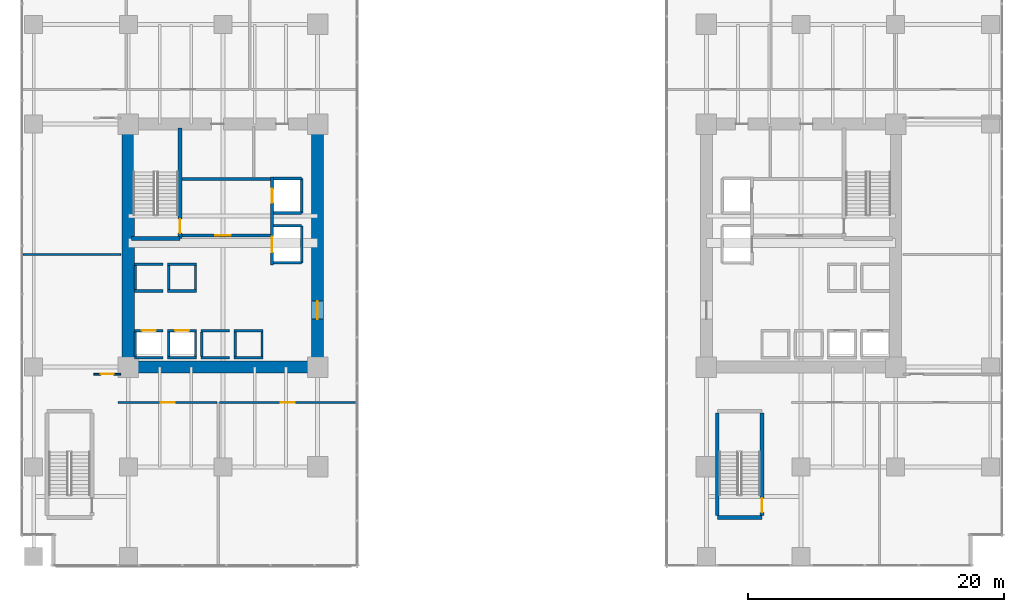
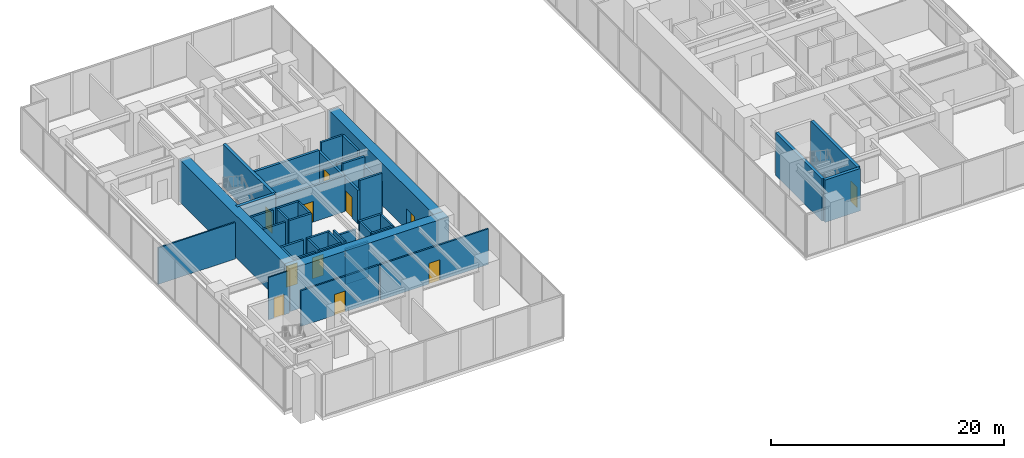
# One storey, part 25 of 32: 42 walls, 11 doors, 11 openings.
"""IFC4 building model written with IfcOpenShell, lengths in metres."""

from ifc_helpers import new_model, si_unit, direction, frame, frame_2d, origin, place, context, subcontext, project, spatial, rectangle, extrude, source, transform, mapped, material, layer, layer_set, type_object, type_shapes, element, fill, save


model = new_model("IFC4")

# Units and contexts
model_context = context("Model", 3, precision=1e-05, world=origin(), true_north=direction((0.0, 1.0)))
body_context = subcontext(model_context, "Body", "Model", "MODEL_VIEW")
ifc_project = project(units=[si_unit("LENGTHUNIT", "METRE"), si_unit("AREAUNIT", "SQUARE_METRE"), si_unit("VOLUMEUNIT", "CUBIC_METRE"), si_unit("PLANEANGLEUNIT", "RADIAN"), si_unit("MASSUNIT", "GRAM", prefix="KILO")], contexts=[model_context])

# Site, building, storey
site_placement = place(None, origin())
site = spatial("IfcSite", under=ifc_project, at=site_placement, CompositionType="ELEMENT")
building_placement = place(site_placement, origin())
building = spatial("IfcBuilding", under=site, at=building_placement, Name="Haelvirn Gate Laboratories", CompositionType="ELEMENT")
storey_placement = place(building_placement, frame((0.0, 0.0, 5.39990234375)))
storey = spatial("IfcBuildingStorey", under=building, at=storey_placement, Name="L02", CompositionType="ELEMENT", Elevation=5.39990234375)

# Wall
ifc_material_1 = material(Name="Acoustic mineral-wool gypsum board partition", Category="gypsum")
ifc_layer_1 = layer(ifc_material_1, 0.139892578125, Name="IW-PART-140")
ifc_layer_set_1 = layer_set([ifc_layer_1], Name="Acoustic mineral-wool gypsum board partition")
wall_type_1 = type_object("IfcWallType", Name="IW-PART-140", PredefinedType="PARTITIONING", material=ifc_layer_set_1)
wall_1_placement = place(storey_placement, frame((-0.85009765625, 23.60009765625, 0.0), z_axis=(0.0, 0.0, 1.0), x_axis=(1.0, 0.0, 0.0)))
element("IfcWall", 1, at=wall_1_placement, inside=storey, type_object=wall_type_1, Name="L02 Interior Wall IW-L02-PODOUT-MID-W", PredefinedType="PARTITIONING", context=body_context, shape_type="SweptSolid", body=[
    extrude(rectangle(XDim=7.650146484375, YDim=0.139892578125, at=frame_2d((3.8251953125, 0.0))), origin(), (0.0, 0.0, 1.0), 3.835205078125),
])

# Wall, opening, door
wall_2_placement = place(storey_placement, frame((4.699951171875, 14.25, 0.0), z_axis=(0.0, 0.0, 1.0), x_axis=(1.0, 0.0, 0.0)))
wall_2 = element("IfcWall", 2, at=wall_2_placement, inside=storey, type_object=wall_type_1, Name="L02 Interior Wall IW-L02-PODOUTW-W-S", PredefinedType="PARTITIONING", context=body_context, shape_type="SweptSolid", body=[
    extrude(rectangle(XDim=2.10009765625, YDim=0.139892578125, at=frame_2d((1.050048828125, 0.0))), origin(), (0.0, 0.0, 1.0), 4.4501953125),
])
opening_1_placement = place(wall_2_placement, frame((0.550048828125, 0.0, 0.0)))
opening_1 = element("IfcOpeningElement", 3, at=opening_1_placement, cuts=wall_2, Name="Opening D2", PredefinedType="OPENING", context=body_context, shape_type="SweptSolid", body=[
    extrude(rectangle(XDim=1.0, YDim=2.14990234375, at=frame_2d((0.5, 1.074951171875))), frame((0.0, 0.080078125, 0.0), z_axis=(0.0, -1.0, 0.0), x_axis=(1.0, 0.0, 0.0)), (0.0, 0.0, 1.0), 0.159912109375),
])
ifc_material_2 = material(Name="Acoustic solid-core timber suite door", Category="wood")
door_type_1 = type_object("IfcDoorType", Name="DR-INT-1000", OperationType="NOTDEFINED", PredefinedType="DOOR", material=ifc_material_2)
shared_shape_1 = source(origin(), body_context, "Body", "SweptSolid", [
    extrude(rectangle(XDim=1.0, YDim=2.14990234375, at=frame_2d((0.5, 1.074951171875))), frame((0.0, 0.02490234375, 0.0), z_axis=(0.0, -1.0, 0.0), x_axis=(1.0, 0.0, 0.0)), (0.0, 0.0, 1.0), 0.050048828125),
])
type_shapes(door_type_1, [shared_shape_1])
door_1_placement = place(opening_1_placement, origin())
door_1 = element("IfcDoor", 4, at=door_1_placement, inside=storey, type_object=door_type_1, Name="L02 Cryo-Preservation Bio-Repository Laboratory Outer Wing Door", OperationType="SINGLE_SWING_LEFT", OverallHeight=2.14990234375, OverallWidth=1.0, PredefinedType="DOOR", context=body_context, shape_type="MappedRepresentation", body=[
    mapped(shared_shape_1, transform((0.0, 0.0, 0.0), scale=1.0)),
])
fill(opening_1, door_1)

ifc_material_3 = material(Name="Moisture-resistant gypsum laboratory partition", Category="gypsum")
ifc_layer_2 = layer(ifc_material_3, 0.1650390625, Name="IW-PART-160")
ifc_layer_set_2 = layer_set([ifc_layer_2], Name="Moisture-resistant gypsum laboratory partition")
wall_type_2 = type_object("IfcWallType", Name="IW-PART-160", PredefinedType="PARTITIONING", material=ifc_layer_set_2)
wall_3_placement = place(storey_placement, frame((6.60009765625, 12.02001953125, 0.0), z_axis=(0.0, 0.0, 1.0), x_axis=(1.0, 0.0, 0.0)))
wall_3 = element("IfcWall", 5, at=wall_3_placement, inside=storey, type_object=wall_type_2, Name="L02 Interior Wall IW-L02-PODS-W-1", PredefinedType="PARTITIONING", context=body_context, shape_type="SweptSolid", body=[
    extrude(rectangle(XDim=7.7529296875, YDim=0.1650390625, at=frame_2d((3.87646484375, 0.0))), origin(), (0.0, 0.0, 1.0), 3.735107421875),
])
opening_2_placement = place(wall_3_placement, frame((3.326416015625, 0.0, 0.0)))
opening_2 = element("IfcOpeningElement", 6, at=opening_2_placement, cuts=wall_3, Name="Opening D1", PredefinedType="OPENING", context=body_context, shape_type="SweptSolid", body=[
    extrude(rectangle(XDim=1.10009765625, YDim=2.179931640625, at=frame_2d((0.550048828125, 1.08984375))), frame((0.0, 0.092529296875, 0.0), z_axis=(0.0, -1.0, 0.0), x_axis=(1.0, 0.0, 0.0)), (0.0, 0.0, 1.0), 0.18505859375),
])
ifc_material_4 = material(Name="Vision-panel acoustic solid-core timber lab door", Category="wood")
door_type_2 = type_object("IfcDoorType", Name="DR-LAB-1100", OperationType="NOTDEFINED", PredefinedType="DOOR", material=ifc_material_4)
shared_shape_2 = source(origin(), body_context, "Body", "SweptSolid", [
    extrude(rectangle(XDim=1.10009765625, YDim=2.179931640625, at=frame_2d((0.550048828125, 1.08984375))), frame((0.0, 0.02490234375, 0.0), z_axis=(0.0, -1.0, 0.0), x_axis=(1.0, 0.0, 0.0)), (0.0, 0.0, 1.0), 0.050048828125),
])
type_shapes(door_type_2, [shared_shape_2])
door_2_placement = place(opening_2_placement, origin())
door_2 = element("IfcDoor", 7, at=door_2_placement, inside=storey, type_object=door_type_2, Name="L02 Computational Write-Up Office Door", OperationType="SINGLE_SWING_LEFT", OverallHeight=2.179931640625, OverallWidth=1.10009765625, PredefinedType="DOOR", context=body_context, shape_type="MappedRepresentation", body=[
    mapped(shared_shape_2, transform((0.0, 0.0, 0.0), scale=1.0)),
])
fill(opening_2, door_2)

wall_4_placement = place(storey_placement, frame((14.512939453125, 12.02001953125, 0.0), z_axis=(0.0, 0.0, 1.0), x_axis=(1.0, 0.0, 0.0)))
wall_4 = element("IfcWall", 8, at=wall_4_placement, inside=storey, type_object=wall_type_2, Name="L02 Interior Wall IW-L02-PODS-W-2", PredefinedType="PARTITIONING", context=body_context, shape_type="SweptSolid", body=[
    extrude(rectangle(XDim=10.737060546875, YDim=0.1650390625, at=frame_2d((5.36865234375, 0.0))), origin(), (0.0, 0.0, 1.0), 3.735107421875),
])
opening_3_placement = place(wall_4_placement, frame((4.818603515625, 0.0, 0.0)))
opening_3 = element("IfcOpeningElement", 9, at=opening_3_placement, cuts=wall_4, Name="Opening D1", PredefinedType="OPENING", context=body_context, shape_type="SweptSolid", body=[
    extrude(rectangle(XDim=1.10009765625, YDim=2.179931640625, at=frame_2d((0.550048828125, 1.08984375))), frame((0.0, 0.092529296875, 0.0), z_axis=(0.0, -1.0, 0.0), x_axis=(1.0, 0.0, 0.0)), (0.0, 0.0, 1.0), 0.18505859375),
])
door_3_placement = place(opening_3_placement, origin())
door_3 = element("IfcDoor", 10, at=door_3_placement, inside=storey, type_object=door_type_2, Name="L02 Research Seminar & Review Room Door", OperationType="SINGLE_SWING_RIGHT", OverallHeight=2.179931640625, OverallWidth=1.10009765625, PredefinedType="DOOR", context=body_context, shape_type="MappedRepresentation", body=[
    mapped(shared_shape_2, transform((0.0, 0.0, 0.0), scale=1.0)),
])
fill(opening_3, door_3)

# Walls
ifc_material_5 = material(Name="Concrete C40/50", Category="concrete")
ifc_layer_3 = layer(ifc_material_5, 0.179931640625, Name="IW-SHAFT-180")
ifc_layer_set_3 = layer_set([ifc_layer_3], Name="Concrete C40/50")
wall_type_3 = type_object("IfcWallType", Name="IW-SHAFT-180", PredefinedType="SOLIDWALL", material=ifc_layer_set_3)
for number, where, z_axis, x_axis, name in (
    (11, (7.949951171875, 15.64990234375, 0.0), (0.0, 0.0, 1.0), (0.0, 1.0, 0.0), "L02 Interior Wall IW-L02-PL1-SD"),
    (12, (10.550048828125, 15.64990234375, 0.0), (0.0, 0.0, 1.0), (0.0, 1.0, 0.0), "L02 Interior Wall IW-L02-PL2-SD"),
    (13, (12.64990234375, 15.64990234375, 0.0), (0.0, 0.0, 1.0), (0.0, 1.0, 0.0), "L02 Interior Wall IW-L02-PL2-SDE"),
    (14, (13.14990234375, 15.64990234375, 0.0), (0.0, 0.0, 1.0), (0.0, 1.0, 0.0), "L02 Interior Wall IW-L02-PL5-SD"),
    (15, (15.75, 15.64990234375, 0.0), (0.0, 0.0, 1.0), (0.0, 1.0, 0.0), "L02 Interior Wall IW-L02-PL6-SD"),
    (16, (17.85009765625, 15.64990234375, 0.0), (0.0, 0.0, 1.0), (0.0, 1.0, 0.0), "L02 Interior Wall IW-L02-PL6-SDE"),
):
    element("IfcWall", number, at=place(storey_placement, frame(where, z_axis=z_axis, x_axis=x_axis)), inside=storey, type_object=wall_type_3, Name=name, PredefinedType="SOLIDWALL", context=body_context, shape_type="SweptSolid", body=[
        extrude(rectangle(XDim=1.900146484375, YDim=0.179931640625, at=frame_2d((0.9501953125, 0.0))), origin(), (0.0, 0.0, 1.0), 4.4501953125),
    ])
for number, where, z_axis, x_axis, name in (
    (17, (7.949951171875, 20.85009765625, 0.0), (0.0, 0.0, 1.0), (0.0, 1.0, 0.0), "L02 Interior Wall IW-L02-PL9-SD"),
    (18, (10.550048828125, 20.85009765625, 0.0), (0.0, 0.0, 1.0), (0.0, 1.0, 0.0), "L02 Interior Wall IW-L02-PL10-SD"),
    (19, (12.64990234375, 20.85009765625, 0.0), (0.0, 0.0, 1.0), (0.0, 1.0, 0.0), "L02 Interior Wall IW-L02-PL10-SDE"),
):
    element("IfcWall", number, at=place(storey_placement, frame(where, z_axis=z_axis, x_axis=x_axis)), inside=storey, type_object=wall_type_3, Name=name, PredefinedType="SOLIDWALL", context=body_context, shape_type="SweptSolid", body=[
        extrude(rectangle(XDim=1.89990234375, YDim=0.179931640625, at=frame_2d((0.949951171875, 0.0))), origin(), (0.0, 0.0, 1.0), 4.4501953125),
    ])

# Wall, opening, door
ifc_layer_4 = layer(ifc_material_5, 0.199951171875, Name="IW-SHAFT-200")
ifc_layer_set_4 = layer_set([ifc_layer_4], Name="Concrete C40/50")
wall_type_4 = type_object("IfcWallType", Name="IW-SHAFT-200", PredefinedType="SOLIDWALL", material=ifc_layer_set_4)
wall_5_placement = place(storey_placement, frame((7.8701171875, 17.64990234375, 0.0), z_axis=(0.0, 0.0, 1.0), x_axis=(1.0, 0.0, 0.0)))
wall_5 = element("IfcWall", 20, at=wall_5_placement, inside=storey, type_object=wall_type_4, Name="L02 Interior Wall IW-L02-PL1-FR", PredefinedType="SOLIDWALL", context=body_context, shape_type="SweptSolid", body=[
    extrude(rectangle(XDim=2.259765625, YDim=0.199951171875, at=frame_2d((1.1298828125, 0.0))), origin(), (0.0, 0.0, 1.0), 4.4501953125),
])
opening_4_placement = place(wall_5_placement, frame((0.580078125, 0.0, 0.0)))
opening_4 = element("IfcOpeningElement", 21, at=opening_4_placement, cuts=wall_5, Name="Opening LD2", PredefinedType="OPENING", context=body_context, shape_type="SweptSolid", body=[
    extrude(rectangle(XDim=1.10009765625, YDim=2.219970703125, at=frame_2d((0.550048828125, 1.10986328125))), frame((0.0, 0.10986328125, 0.0), z_axis=(0.0, -1.0, 0.0), x_axis=(1.0, 0.0, 0.0)), (0.0, 0.0, 1.0), 0.219970703125),
])
ifc_material_6 = material(Name="Bronze stainless 316L sliding lift landing door")
door_type_3 = type_object("IfcDoorType", Name="DR-LD-1100", OperationType="NOTDEFINED", PredefinedType="USERDEFINED", material=ifc_material_6)
shared_shape_3 = source(origin(), body_context, "Body", "SweptSolid", [
    extrude(rectangle(XDim=1.10009765625, YDim=2.219970703125, at=frame_2d((0.550048828125, 1.10986328125))), frame((0.0, 0.02490234375, 0.0), z_axis=(0.0, -1.0, 0.0), x_axis=(1.0, 0.0, 0.0)), (0.0, 0.0, 1.0), 0.050048828125),
])
type_shapes(door_type_3, [shared_shape_3])
door_4_placement = place(opening_4_placement, origin())
door_4 = element("IfcDoor", 22, at=door_4_placement, inside=storey, type_object=door_type_3, Name="L02 Passenger Lift PL1 Landing Door", ObjectType="LANDING_DOOR", OperationType="SLIDING_TO_LEFT", OverallHeight=2.219970703125, OverallWidth=1.10009765625, PredefinedType="USERDEFINED", context=body_context, shape_type="MappedRepresentation", body=[
    mapped(shared_shape_3, transform((0.0, 0.0, 0.0), scale=1.0)),
])
fill(opening_4, door_4)

# Wall
wall_6_placement = place(storey_placement, frame((7.8701171875, 15.550048828125, 0.0), z_axis=(0.0, 0.0, 1.0), x_axis=(1.0, 0.0, 0.0)))
element("IfcWall", 23, at=wall_6_placement, inside=storey, type_object=wall_type_4, Name="L02 Interior Wall IW-L02-PL1-BK", PredefinedType="SOLIDWALL", context=body_context, shape_type="SweptSolid", body=[
    extrude(rectangle(XDim=2.259765625, YDim=0.199951171875, at=frame_2d((1.1298828125, 0.0))), origin(), (0.0, 0.0, 1.0), 4.4501953125),
])

# Wall, opening, door
wall_7_placement = place(storey_placement, frame((10.469970703125, 17.64990234375, 0.0), z_axis=(0.0, 0.0, 1.0), x_axis=(1.0, 0.0, 0.0)))
wall_7 = element("IfcWall", 24, at=wall_7_placement, inside=storey, type_object=wall_type_4, Name="L02 Interior Wall IW-L02-PL2-FR", PredefinedType="SOLIDWALL", context=body_context, shape_type="SweptSolid", body=[
    extrude(rectangle(XDim=2.260009765625, YDim=0.199951171875, at=frame_2d((1.1298828125, 0.0))), origin(), (0.0, 0.0, 1.0), 4.4501953125),
])
opening_5_placement = place(wall_7_placement, frame((0.580078125, 0.0, 0.0)))
opening_5 = element("IfcOpeningElement", 25, at=opening_5_placement, cuts=wall_7, Name="Opening LD2", PredefinedType="OPENING", context=body_context, shape_type="SweptSolid", body=[
    extrude(rectangle(XDim=1.10009765625, YDim=2.219970703125, at=frame_2d((0.550048828125, 1.10986328125))), frame((0.0, 0.10986328125, 0.0), z_axis=(0.0, -1.0, 0.0), x_axis=(1.0, 0.0, 0.0)), (0.0, 0.0, 1.0), 0.219970703125),
])
door_5_placement = place(opening_5_placement, origin())
door_5 = element("IfcDoor", 26, at=door_5_placement, inside=storey, type_object=door_type_3, Name="L02 Passenger Lift PL2 Landing Door", ObjectType="LANDING_DOOR", OperationType="SLIDING_TO_RIGHT", OverallHeight=2.219970703125, OverallWidth=1.10009765625, PredefinedType="USERDEFINED", context=body_context, shape_type="MappedRepresentation", body=[
    mapped(shared_shape_3, transform((0.0, 0.0, 0.0), scale=1.0)),
])
fill(opening_5, door_5)

# Walls
wall_8_placement = place(storey_placement, frame((10.469970703125, 15.550048828125, 0.0), z_axis=(0.0, 0.0, 1.0), x_axis=(1.0, 0.0, 0.0)))
element("IfcWall", 27, at=wall_8_placement, inside=storey, type_object=wall_type_4, Name="L02 Interior Wall IW-L02-PL2-BK", PredefinedType="SOLIDWALL", context=body_context, shape_type="SweptSolid", body=[
    extrude(rectangle(XDim=2.260009765625, YDim=0.199951171875, at=frame_2d((1.1298828125, 0.0))), origin(), (0.0, 0.0, 1.0), 4.4501953125),
])
for number, where, z_axis, x_axis, name in (
    (28, (13.070068359375, 17.64990234375, 0.0), (0.0, 0.0, 1.0), (1.0, 0.0, 0.0), "L02 Interior Wall IW-L02-PL5-FR"),
    (29, (13.070068359375, 15.550048828125, 0.0), (0.0, 0.0, 1.0), (1.0, 0.0, 0.0), "L02 Interior Wall IW-L02-PL5-BK"),
):
    element("IfcWall", number, at=place(storey_placement, frame(where, z_axis=z_axis, x_axis=x_axis)), inside=storey, type_object=wall_type_4, Name=name, PredefinedType="SOLIDWALL", context=body_context, shape_type="SweptSolid", body=[
        extrude(rectangle(XDim=2.260009765625, YDim=0.199951171875, at=frame_2d((1.1298828125, 0.0))), origin(), (0.0, 0.0, 1.0), 3.735107421875),
    ])
for number, where, z_axis, x_axis, name in (
    (30, (15.669921875, 17.64990234375, 0.0), (0.0, 0.0, 1.0), (1.0, 0.0, 0.0), "L02 Interior Wall IW-L02-PL6-FR"),
    (31, (15.669921875, 15.550048828125, 0.0), (0.0, 0.0, 1.0), (1.0, 0.0, 0.0), "L02 Interior Wall IW-L02-PL6-BK"),
):
    element("IfcWall", number, at=place(storey_placement, frame(where, z_axis=z_axis, x_axis=x_axis)), inside=storey, type_object=wall_type_4, Name=name, PredefinedType="SOLIDWALL", context=body_context, shape_type="SweptSolid", body=[
        extrude(rectangle(XDim=2.260009765625, YDim=0.199951171875, at=frame_2d((1.1298828125, 0.0))), origin(), (0.0, 0.0, 1.0), 4.4501953125),
    ])
for number, where, z_axis, x_axis, name in (
    (32, (7.8701171875, 20.75, 0.0), (0.0, 0.0, 1.0), (1.0, 0.0, 0.0), "L02 Interior Wall IW-L02-PL9-FR"),
    (33, (7.8701171875, 22.85009765625, 0.0), (0.0, 0.0, 1.0), (1.0, 0.0, 0.0), "L02 Interior Wall IW-L02-PL9-BK"),
):
    element("IfcWall", number, at=place(storey_placement, frame(where, z_axis=z_axis, x_axis=x_axis)), inside=storey, type_object=wall_type_4, Name=name, PredefinedType="SOLIDWALL", context=body_context, shape_type="SweptSolid", body=[
        extrude(rectangle(XDim=2.259765625, YDim=0.199951171875, at=frame_2d((1.1298828125, 0.0))), origin(), (0.0, 0.0, 1.0), 4.4501953125),
    ])
for number, where, z_axis, x_axis, name in (
    (34, (10.469970703125, 20.75, 0.0), (0.0, 0.0, 1.0), (1.0, 0.0, 0.0), "L02 Interior Wall IW-L02-PL10-FR"),
    (35, (10.469970703125, 22.85009765625, 0.0), (0.0, 0.0, 1.0), (1.0, 0.0, 0.0), "L02 Interior Wall IW-L02-PL10-BK"),
):
    element("IfcWall", number, at=place(storey_placement, frame(where, z_axis=z_axis, x_axis=x_axis)), inside=storey, type_object=wall_type_4, Name=name, PredefinedType="SOLIDWALL", context=body_context, shape_type="SweptSolid", body=[
        extrude(rectangle(XDim=2.260009765625, YDim=0.199951171875, at=frame_2d((1.1298828125, 0.0))), origin(), (0.0, 0.0, 1.0), 4.4501953125),
    ])
wall_9_placement = place(storey_placement, frame((20.949951171875, 26.85009765625, 0.0), z_axis=(0.0, 0.0, 1.0), x_axis=(0.0, 1.0, 0.0)))
element("IfcWall", 36, at=wall_9_placement, inside=storey, type_object=wall_type_4, Name="L02 Interior Wall IW-L02-FL1-BK", PredefinedType="SOLIDWALL", context=body_context, shape_type="SweptSolid", body=[
    extrude(rectangle(XDim=2.699951171875, YDim=0.199951171875, at=frame_2d((1.35009765625, 0.0))), origin(), (0.0, 0.0, 1.0), 4.4501953125),
])
wall_10_placement = place(storey_placement, frame((18.760009765625, 29.550048828125, 0.0), z_axis=(0.0, 0.0, 1.0), x_axis=(1.0, 0.0, 0.0)))
element("IfcWall", 37, at=wall_10_placement, inside=storey, type_object=wall_type_4, Name="L02 Interior Wall IW-L02-FL1-N", PredefinedType="SOLIDWALL", context=body_context, shape_type="SweptSolid", body=[
    extrude(rectangle(XDim=2.18994140625, YDim=0.199951171875, at=frame_2d((1.094970703125, 0.0))), origin(), (0.0, 0.0, 1.0), 4.4501953125),
])
wall_11_placement = place(storey_placement, frame((18.760009765625, 26.85009765625, 0.0), z_axis=(0.0, 0.0, 1.0), x_axis=(1.0, 0.0, 0.0)))
element("IfcWall", 38, at=wall_11_placement, inside=storey, type_object=wall_type_4, Name="L02 Interior Wall IW-L02-FL1-S", PredefinedType="SOLIDWALL", context=body_context, shape_type="SweptSolid", body=[
    extrude(rectangle(XDim=2.18994140625, YDim=0.199951171875, at=frame_2d((1.094970703125, 0.0))), origin(), (0.0, 0.0, 1.0), 3.84716796875),
])
wall_12_placement = place(storey_placement, frame((20.949951171875, 22.949951171875, 0.0), z_axis=(0.0, 0.0, 1.0), x_axis=(0.0, 1.0, 0.0)))
element("IfcWall", 39, at=wall_12_placement, inside=storey, type_object=wall_type_4, Name="L02 Interior Wall IW-L02-SL1-BK", PredefinedType="SOLIDWALL", context=body_context, shape_type="SweptSolid", body=[
    extrude(rectangle(XDim=2.900146484375, YDim=0.199951171875, at=frame_2d((1.4501953125, 0.0))), origin(), (0.0, 0.0, 1.0), 3.53515625),
])
for number, where, z_axis, x_axis, name in (
    (40, (18.760009765625, 25.85009765625, 0.0), (0.0, 0.0, 1.0), (1.0, 0.0, 0.0), "L02 Interior Wall IW-L02-SL1-N"),
    (41, (18.760009765625, 22.949951171875, 0.0), (0.0, 0.0, 1.0), (1.0, 0.0, 0.0), "L02 Interior Wall IW-L02-SL1-S"),
):
    element("IfcWall", number, at=place(storey_placement, frame(where, z_axis=z_axis, x_axis=x_axis)), inside=storey, type_object=wall_type_4, Name=name, PredefinedType="SOLIDWALL", context=body_context, shape_type="SweptSolid", body=[
        extrude(rectangle(XDim=2.18994140625, YDim=0.199951171875, at=frame_2d((1.094970703125, 0.0))), origin(), (0.0, 0.0, 1.0), 4.4501953125),
    ])

# Wall, opening, door
ifc_layer_5 = layer(ifc_material_5, 0.239990234375, Name="IW-SHAFT-240")
ifc_layer_set_5 = layer_set([ifc_layer_5], Name="Concrete C40/50")
wall_type_5 = type_object("IfcWallType", Name="IW-SHAFT-240", PredefinedType="SOLIDWALL", material=ifc_layer_set_5)
wall_13_placement = place(storey_placement, frame((11.60009765625, 25.080078125, 0.0), z_axis=(0.0, 0.0, 1.0), x_axis=(1.0, 0.0, 0.0)))
wall_13 = element("IfcWall", 42, at=wall_13_placement, inside=storey, type_object=wall_type_5, Name="L02 Interior Wall IW-L02-W-FF-S", PredefinedType="SOLIDWALL", context=body_context, shape_type="SweptSolid", body=[
    extrude(rectangle(XDim=6.919921875, YDim=0.239990234375, at=frame_2d((3.4599609375, 0.0))), origin(), (0.0, 0.0, 1.0), 3.735107421875),
])
opening_6_placement = place(wall_13_placement, frame((2.60009765625, 0.0, 0.0)))
opening_6 = element("IfcOpeningElement", 43, at=opening_6_placement, cuts=wall_13, Name="Opening FD2", PredefinedType="OPENING", context=body_context, shape_type="SweptSolid", body=[
    extrude(rectangle(XDim=1.199951171875, YDim=2.159912109375, at=frame_2d((0.60009765625, 1.080078125))), frame((0.0, 0.1298828125, 0.0), z_axis=(0.0, -1.0, 0.0), x_axis=(1.0, 0.0, 0.0)), (0.0, 0.0, 1.0), 0.260009765625),
])
ifc_material_7 = material(Name="Fire-rated steel SM355 compartment door", Category="steel")
door_type_4 = type_object("IfcDoorType", Name="DR-FD-1200", OperationType="NOTDEFINED", PredefinedType="DOOR", material=ifc_material_7)
shared_shape_4 = source(origin(), body_context, "Body", "SweptSolid", [
    extrude(rectangle(XDim=1.199951171875, YDim=2.159912109375, at=frame_2d((0.60009765625, 1.080078125))), frame((0.0, 0.02490234375, 0.0), z_axis=(0.0, -1.0, 0.0), x_axis=(1.0, 0.0, 0.0)), (0.0, 0.0, 1.0), 0.050048828125),
])
type_shapes(door_type_4, [shared_shape_4])
door_6_placement = place(opening_6_placement, origin())
door_6 = element("IfcDoor", 44, at=door_6_placement, inside=storey, type_object=door_type_4, Name="L02 West Firefighting Lobby Door", OperationType="SINGLE_SWING_RIGHT", OverallHeight=2.159912109375, OverallWidth=1.199951171875, PredefinedType="DOOR", context=body_context, shape_type="MappedRepresentation", body=[
    mapped(shared_shape_4, transform((0.0, 0.0, 0.0), scale=1.0)),
])
fill(opening_6, door_6)

# Wall
wall_14_placement = place(storey_placement, frame((11.60009765625, 29.52001953125, 0.0), z_axis=(0.0, 0.0, 1.0), x_axis=(1.0, 0.0, 0.0)))
element("IfcWall", 45, at=wall_14_placement, inside=storey, type_object=wall_type_5, Name="L02 Interior Wall IW-L02-W-FF-N", PredefinedType="SOLIDWALL", context=body_context, shape_type="SweptSolid", body=[
    extrude(rectangle(XDim=6.919921875, YDim=0.239990234375, at=frame_2d((3.4599609375, 0.0))), origin(), (0.0, 0.0, 1.0), 3.735107421875),
])

# Wall, openings, doors
wall_15_placement = place(storey_placement, frame((18.639892578125, 22.800048828125, 0.0), z_axis=(0.0, 0.0, 1.0), x_axis=(0.0, 1.0, 0.0)))
wall_15 = element("IfcWall", 46, at=wall_15_placement, inside=storey, type_object=wall_type_5, Name="L02 Interior Wall IW-L02-W-FF-E", PredefinedType="SOLIDWALL", context=body_context, shape_type="SweptSolid", body=[
    extrude(rectangle(XDim=6.849853515625, YDim=0.239990234375, at=frame_2d((3.4248046875, 0.0))), origin(), (0.0, 0.0, 1.0), 3.53515625),
])
opening_7_placement = place(wall_15_placement, frame((4.85009765625, 0.0, 0.0)))
opening_7 = element("IfcOpeningElement", 47, at=opening_7_placement, cuts=wall_15, Name="Opening LD2", PredefinedType="OPENING", context=body_context, shape_type="SweptSolid", body=[
    extrude(rectangle(XDim=1.10009765625, YDim=2.219970703125, at=frame_2d((0.550048828125, 1.10986328125))), frame((0.0, 0.1298828125, 0.0), z_axis=(0.0, -1.0, 0.0), x_axis=(1.0, 0.0, 0.0)), (0.0, 0.0, 1.0), 0.260009765625),
])
opening_8_placement = place(wall_15_placement, frame((1.0, 0.0, 0.0)))
opening_8 = element("IfcOpeningElement", 48, at=opening_8_placement, cuts=wall_15, Name="Opening LD1", PredefinedType="OPENING", context=body_context, shape_type="SweptSolid", body=[
    extrude(rectangle(XDim=1.199951171875, YDim=2.219970703125, at=frame_2d((0.60009765625, 1.10986328125))), frame((0.0, 0.1298828125, 0.0), z_axis=(0.0, -1.0, 0.0), x_axis=(1.0, 0.0, 0.0)), (0.0, 0.0, 1.0), 0.260009765625),
])
door_7_placement = place(opening_7_placement, origin())
door_7 = element("IfcDoor", 49, at=door_7_placement, inside=storey, type_object=door_type_3, Name="L02 Firefighting Lift FL1 Landing Door", ObjectType="LANDING_DOOR", OperationType="SLIDING_TO_LEFT", OverallHeight=2.219970703125, OverallWidth=1.10009765625, PredefinedType="USERDEFINED", context=body_context, shape_type="MappedRepresentation", body=[
    mapped(shared_shape_3, transform((0.0, 0.0, 0.0), scale=1.0)),
])
fill(opening_7, door_7)
ifc_material_8 = material(Name="Stainless steel 316L sliding goods landing door", Category="steel")
door_type_5 = type_object("IfcDoorType", Name="DR-LD-1200", OperationType="NOTDEFINED", PredefinedType="USERDEFINED", material=ifc_material_8)
shared_shape_5 = source(origin(), body_context, "Body", "SweptSolid", [
    extrude(rectangle(XDim=1.199951171875, YDim=2.219970703125, at=frame_2d((0.60009765625, 1.10986328125))), frame((0.0, 0.02490234375, 0.0), z_axis=(0.0, -1.0, 0.0), x_axis=(1.0, 0.0, 0.0)), (0.0, 0.0, 1.0), 0.050048828125),
])
type_shapes(door_type_5, [shared_shape_5])
door_8_placement = place(opening_8_placement, origin())
door_8 = element("IfcDoor", 50, at=door_8_placement, inside=storey, type_object=door_type_5, Name="L02 Service Lift SL1 Landing Door", ObjectType="LANDING_DOOR", OperationType="SLIDING_TO_RIGHT", OverallHeight=2.219970703125, OverallWidth=1.199951171875, PredefinedType="USERDEFINED", context=body_context, shape_type="MappedRepresentation", body=[
    mapped(shared_shape_5, transform((0.0, 0.0, 0.0), scale=1.0)),
])
fill(opening_8, door_8)

# Walls
ifc_material_9 = material(Name="Concrete C70/85", Category="concrete")
ifc_layer_6 = layer(ifc_material_9, 0.949951171875, Name="SW-CORE-950")
ifc_layer_set_6 = layer_set([ifc_layer_6], Name="Concrete C70/85")
wall_type_6 = type_object("IfcWallType", Name="SW-CORE-950", PredefinedType="SHEAR", material=ifc_layer_set_6)
wall_16_placement = place(storey_placement, frame((6.925048828125, 14.800048828125, 0.0), z_axis=(0.0, 0.0, 1.0), x_axis=(1.0, 0.0, 0.0)))
element("IfcWall", 51, at=wall_16_placement, inside=storey, type_object=wall_type_6, Name="L02 W Core Shear Wall S", PredefinedType="SHEAR", context=body_context, shape_type="SweptSolid", body=[
    extrude(rectangle(XDim=15.75, YDim=0.949951171875, at=frame_2d((7.875, 0.0))), origin(), (0.0, 0.0, 1.0), 4.4501953125),
])
wall_17_placement = place(storey_placement, frame((7.39990234375, 15.27490234375, 0.0), z_axis=(0.0, 0.0, 1.0), x_axis=(0.0, 1.0, 0.0)))
element("IfcWall", 52, at=wall_17_placement, inside=storey, type_object=wall_type_6, Name="L02 W Core Shear Wall W", PredefinedType="SHEAR", context=body_context, shape_type="SweptSolid", body=[
    extrude(rectangle(XDim=18.050048828125, YDim=0.949951171875, at=frame_2d((9.02490234375, 0.0))), origin(), (0.0, 0.0, 1.0), 4.4501953125),
])

# Wall, opening, door
wall_18_placement = place(storey_placement, frame((22.199951171875, 15.27490234375, 0.0), z_axis=(0.0, 0.0, 1.0), x_axis=(0.0, 1.0, 0.0)))
wall_18 = element("IfcWall", 53, at=wall_18_placement, inside=storey, type_object=wall_type_6, Name="L02 W Core Shear Wall E", PredefinedType="SHEAR", context=body_context, shape_type="SweptSolid", body=[
    extrude(rectangle(XDim=18.050048828125, YDim=0.949951171875, at=frame_2d((9.02490234375, 0.0))), origin(), (0.0, 0.0, 1.0), 4.4501953125),
])
opening_9_placement = place(wall_18_placement, frame((3.27490234375, 0.0, 0.0)))
opening_9 = element("IfcOpeningElement", 54, at=opening_9_placement, cuts=wall_18, Name="Opening FD1", PredefinedType="OPENING", context=body_context, shape_type="SweptSolid", body=[
    extrude(rectangle(XDim=1.419921875, YDim=2.199951171875, at=frame_2d((0.7099609375, 1.10009765625))), frame((0.0, 0.48486328125, 0.0), z_axis=(0.0, -1.0, 0.0), x_axis=(1.0, 0.0, 0.0)), (0.0, 0.0, 1.0), 0.969970703125),
])
ifc_material_10 = material(Name="Fire-rated double steel SM355 lobby door", Category="steel")
door_type_6 = type_object("IfcDoorType", Name="DR-FD-1400", OperationType="NOTDEFINED", PredefinedType="DOOR", material=ifc_material_10)
shared_shape_6 = source(origin(), body_context, "Body", "SweptSolid", [
    extrude(rectangle(XDim=1.419921875, YDim=2.199951171875, at=frame_2d((0.7099609375, 1.10009765625))), frame((0.0, 0.02490234375, 0.0), z_axis=(0.0, -1.0, 0.0), x_axis=(1.0, 0.0, 0.0)), (0.0, 0.0, 1.0), 0.050048828125),
])
type_shapes(door_type_6, [shared_shape_6])
door_9_placement = place(opening_9_placement, origin())
door_9 = element("IfcDoor", 55, at=door_9_placement, inside=storey, type_object=door_type_6, Name="L02 West Core Lift Lobby Fire Door", OperationType="DOUBLE_DOOR_SINGLE_SWING", OverallHeight=2.199951171875, OverallWidth=1.419921875, PredefinedType="DOOR", context=body_context, shape_type="MappedRepresentation", body=[
    mapped(shared_shape_6, transform((0.0, 0.0, 0.0), scale=1.0)),
])
fill(opening_9, door_9)

ifc_material_11 = material(Name="Concrete C50/60", Category="concrete")
ifc_layer_7 = layer(ifc_material_11, 0.300048828125, Name="SW-STAIR-300")
ifc_layer_set_7 = layer_set([ifc_layer_7], Name="Concrete C50/60")
wall_type_7 = type_object("IfcWallType", Name="SW-STAIR-300", PredefinedType="SHEAR", material=ifc_layer_set_7)
wall_19_placement = place(storey_placement, frame((11.449951171875, 24.85009765625, 0.0), z_axis=(0.0, 0.0, 1.0), x_axis=(0.0, 1.0, 0.0)))
wall_19 = element("IfcWall", 56, at=wall_19_placement, inside=storey, type_object=wall_type_7, Name="L02 W Core Stair Shaft Structural Wall IN", PredefinedType="SHEAR", context=body_context, shape_type="SweptSolid", body=[
    extrude(rectangle(XDim=8.6298828125, YDim=0.300048828125, at=frame_2d((4.31494140625, 0.0))), origin(), (0.0, 0.0, 1.0), 4.4501953125),
])
opening_10_placement = place(wall_19_placement, frame((0.419921875, 0.0, 0.0)))
opening_10 = element("IfcOpeningElement", 57, at=opening_10_placement, cuts=wall_19, Name="Opening FD3", PredefinedType="OPENING", context=body_context, shape_type="SweptSolid", body=[
    extrude(rectangle(XDim=1.10009765625, YDim=2.14990234375, at=frame_2d((0.550048828125, 1.074951171875))), frame((0.0, 0.16015625, 0.0), z_axis=(0.0, -1.0, 0.0), x_axis=(1.0, 0.0, 0.0)), (0.0, 0.0, 1.0), 0.320068359375),
])
ifc_material_12 = material(Name="Fire-rated steel SM355 escape stair door", Category="steel")
door_type_7 = type_object("IfcDoorType", Name="DR-FD-1100", OperationType="NOTDEFINED", PredefinedType="DOOR", material=ifc_material_12)
shared_shape_7 = source(origin(), body_context, "Body", "SweptSolid", [
    extrude(rectangle(XDim=1.10009765625, YDim=2.14990234375, at=frame_2d((0.550048828125, 1.074951171875))), frame((0.0, 0.02490234375, 0.0), z_axis=(0.0, -1.0, 0.0), x_axis=(1.0, 0.0, 0.0)), (0.0, 0.0, 1.0), 0.050048828125),
])
type_shapes(door_type_7, [shared_shape_7])
door_10_placement = place(opening_10_placement, origin())
door_10 = element("IfcDoor", 58, at=door_10_placement, inside=storey, type_object=door_type_7, Name="L02 Escape Stair ST1 Fire Door", OperationType="SINGLE_SWING_LEFT", OverallHeight=2.14990234375, OverallWidth=1.10009765625, PredefinedType="DOOR", context=body_context, shape_type="MappedRepresentation", body=[
    mapped(shared_shape_7, transform((0.0, 0.0, 0.0), scale=1.0)),
])
fill(opening_10, door_10)

# Walls
wall_20_placement = place(storey_placement, frame((7.64990234375, 24.85009765625, 0.0), z_axis=(0.0, 0.0, 1.0), x_axis=(1.0, 0.0, 0.0)))
element("IfcWall", 59, at=wall_20_placement, inside=storey, type_object=wall_type_7, Name="L02 W Core Stair Shaft Structural Wall S", PredefinedType="SHEAR", context=body_context, shape_type="SweptSolid", body=[
    extrude(rectangle(XDim=3.800048828125, YDim=0.300048828125, at=frame_2d((1.89990234375, 0.0))), origin(), (0.0, 0.0, 1.0), 4.4501953125),
])
wall_21_placement = place(storey_placement, frame((53.449951171875, 3.050048828125, 0.0), z_axis=(0.0, 0.0, 1.0), x_axis=(1.0, 0.0, 0.0)))
element("IfcWall", 60, at=wall_21_placement, inside=storey, type_object=wall_type_7, Name="L02 Podium Stair ST4 Structural Wall S", PredefinedType="SHEAR", context=body_context, shape_type="SweptSolid", body=[
    extrude(rectangle(XDim=3.5, YDim=0.300048828125, at=frame_2d((1.75, 0.0))), origin(), (0.0, 0.0, 1.0), 4.4501953125),
])
wall_22_placement = place(storey_placement, frame((53.449951171875, 3.199951171875, 0.0), z_axis=(0.0, 0.0, 1.0), x_axis=(0.0, 1.0, 0.0)))
element("IfcWall", 61, at=wall_22_placement, inside=storey, type_object=wall_type_7, Name="L02 Podium Stair ST4 Structural Wall W", PredefinedType="SHEAR", context=body_context, shape_type="SweptSolid", body=[
    extrude(rectangle(XDim=8.0, YDim=0.300048828125, at=frame_2d((4.0, 0.0))), origin(), (0.0, 0.0, 1.0), 4.4501953125),
])

# Wall, opening, door
wall_23_placement = place(storey_placement, frame((56.949951171875, 3.199951171875, 0.0), z_axis=(0.0, 0.0, 1.0), x_axis=(0.0, 1.0, 0.0)))
wall_23 = element("IfcWall", 62, at=wall_23_placement, inside=storey, type_object=wall_type_7, Name="L02 Podium Stair ST4 Structural Wall E", PredefinedType="SHEAR", context=body_context, shape_type="SweptSolid", body=[
    extrude(rectangle(XDim=8.0, YDim=0.300048828125, at=frame_2d((4.0, 0.0))), origin(), (0.0, 0.0, 1.0), 4.4501953125),
])
opening_11_placement = place(wall_23_placement, frame((0.25, 0.0, 0.0)))
opening_11 = element("IfcOpeningElement", 63, at=opening_11_placement, cuts=wall_23, Name="Opening FD3", PredefinedType="OPENING", context=body_context, shape_type="SweptSolid", body=[
    extrude(rectangle(XDim=1.10009765625, YDim=2.14990234375, at=frame_2d((0.550048828125, 1.074951171875))), frame((0.0, 0.16015625, 0.0), z_axis=(0.0, -1.0, 0.0), x_axis=(1.0, 0.0, 0.0)), (0.0, 0.0, 1.0), 0.320068359375),
])
door_11_placement = place(opening_11_placement, origin())
door_11 = element("IfcDoor", 64, at=door_11_placement, inside=storey, type_object=door_type_7, Name="L02 Escape Stair ST4 Fire Door", OperationType="SINGLE_SWING_RIGHT", OverallHeight=2.14990234375, OverallWidth=1.10009765625, PredefinedType="DOOR", context=body_context, shape_type="MappedRepresentation", body=[
    mapped(shared_shape_7, transform((0.0, 0.0, 0.0), scale=1.0)),
])
fill(opening_11, door_11)

save(model, "model.ifc")
